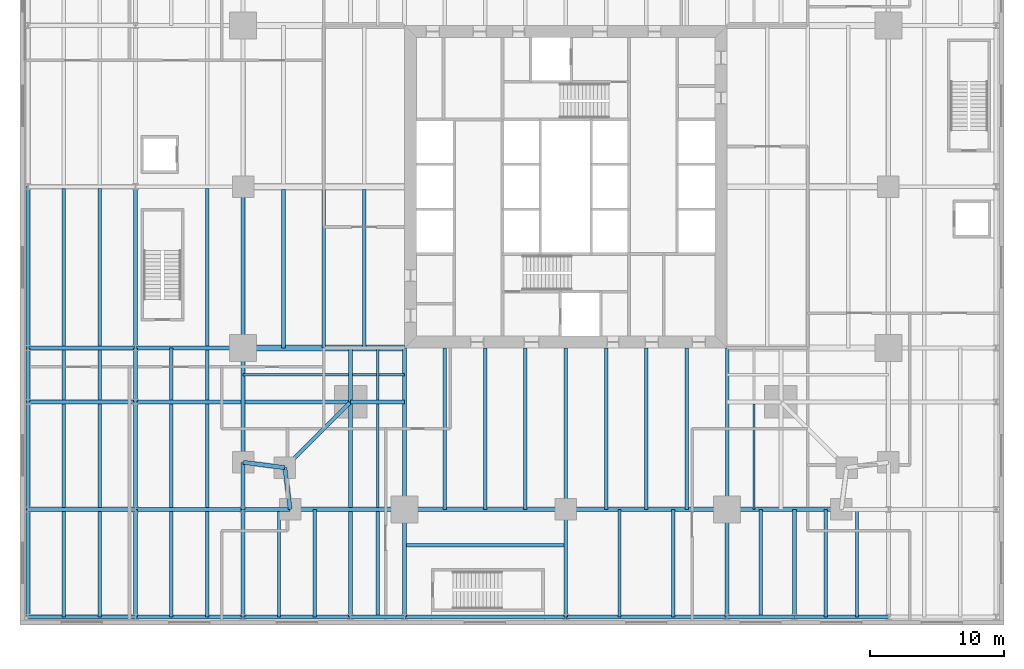
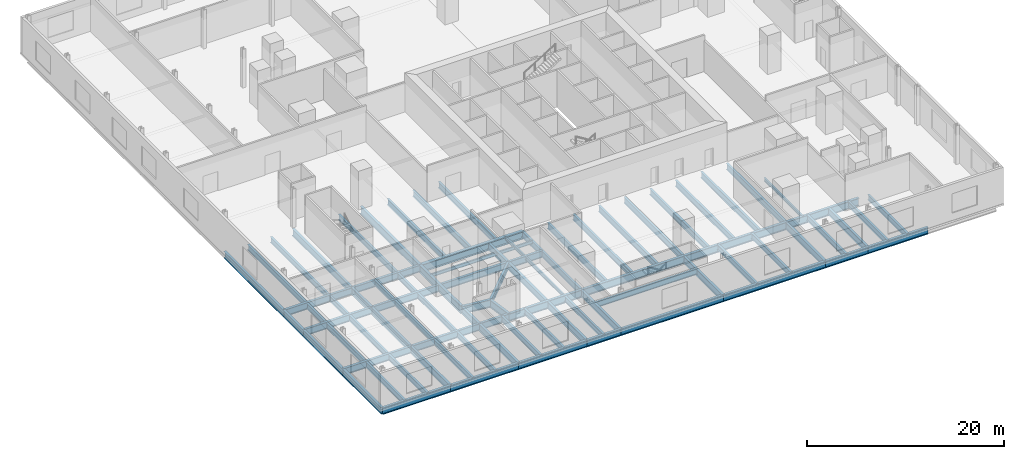
# One storey, part 5 of 16: 86 beams.
"""IFC4 building model written with IfcOpenShell, lengths in metres."""

from ifc_helpers import new_model, si_unit, direction, frame, origin, origin_2d, place, context, subcontext, project, spatial, i_section, extrude, material, material_profile, profile_set, type_object, element, save


model = new_model("IFC4")

# Units and contexts
model_context = context("Model", 3, precision=1e-05, world=origin(), true_north=direction((0.0, 1.0)))
body_context = subcontext(model_context, "Body", "Model", "MODEL_VIEW")
ifc_project = project(units=[si_unit("LENGTHUNIT", "METRE"), si_unit("AREAUNIT", "SQUARE_METRE"), si_unit("VOLUMEUNIT", "CUBIC_METRE"), si_unit("PLANEANGLEUNIT", "RADIAN"), si_unit("MASSUNIT", "GRAM", prefix="KILO")], contexts=[model_context])

# Site, building, storey
site_placement = place(None, origin())
site = spatial("IfcSite", under=ifc_project, at=site_placement, CompositionType="ELEMENT")
building_placement = place(site_placement, origin())
building = spatial("IfcBuilding", under=site, at=building_placement, Name="Fenwick Lantern Interchange", CompositionType="ELEMENT")
storey_placement = place(building_placement, frame((0.0, 0.0, 16.60009765625)))
storey = spatial("IfcBuildingStorey", under=building, at=storey_placement, Name="L03", CompositionType="ELEMENT", Elevation=16.60009765625)

# Beams
ifc_material = material(Name="Steel ASTM A992 Grade 50", Category="steel")
ifc_material_profile_1 = material_profile(ifc_material, i_section(OverallWidth=0.309814453125, OverallDepth=0.949951171875, WebThickness=0.0244140625, FlangeThickness=0.0439453125, at=origin_2d()), Name="W36X256")
ifc_profile_set_1 = profile_set([ifc_material_profile_1], Name="Steel ASTM A992 Grade 50")
beam_type_1 = type_object("IfcBeamType", Name="EDGE BEAM W36X256", PredefinedType="SPANDREL", material=ifc_profile_set_1)
beam_1_placement = place(storey_placement, frame((4.5, 1.0, -0.675048828125), z_axis=(1.0, 0.0, 0.0), x_axis=(0.0, 1.0, 0.0)))
element("IfcBeam", 1, at=beam_1_placement, inside=storey, type_object=beam_type_1, Name="L03/FR/S/EB1", PredefinedType="SPANDREL", context=body_context, shape_type="SweptSolid", body=[
    extrude(i_section(OverallWidth=0.309814453125, OverallDepth=0.949951171875, WebThickness=0.0244140625, FlangeThickness=0.0439453125, at=origin_2d()), origin(), (0.0, 0.0, 1.0), 8.5),
])
for number, where, z_axis, x_axis, name in (
    (2, (13.0, 1.0, -0.675048828125), (1.0, 0.0, 0.0), (0.0, 1.0, 0.0), "L03/FR/S/EB2"),
    (3, (25.0, 1.0, -0.675048828125), (1.0, 0.0, 0.0), (0.0, 1.0, 0.0), "L03/FR/S/EB3"),
):
    element("IfcBeam", number, at=place(storey_placement, frame(where, z_axis=z_axis, x_axis=x_axis)), inside=storey, type_object=beam_type_1, Name=name, PredefinedType="SPANDREL", context=body_context, shape_type="SweptSolid", body=[
        extrude(i_section(OverallWidth=0.309814453125, OverallDepth=0.949951171875, WebThickness=0.0244140625, FlangeThickness=0.0439453125, at=origin_2d()), origin(), (0.0, 0.0, 1.0), 12.0),
    ])
beam_2_placement = place(storey_placement, frame((37.0, 1.0, -0.675048828125), z_axis=(1.0, 0.0, 0.0), x_axis=(0.0, 1.0, 0.0)))
element("IfcBeam", 4, at=beam_2_placement, inside=storey, type_object=beam_type_1, Name="L03/FR/S/EB4", PredefinedType="SPANDREL", context=body_context, shape_type="SweptSolid", body=[
    extrude(i_section(OverallWidth=0.309814453125, OverallDepth=0.949951171875, WebThickness=0.0244140625, FlangeThickness=0.0439453125, at=origin_2d()), origin(), (0.0, 0.0, 1.0), 8.5),
])
beam_3_placement = place(storey_placement, frame((1.0, 25.0, -0.675048828125), z_axis=(0.0, -1.0, 0.0), x_axis=(1.0, 0.0, 0.0)))
element("IfcBeam", 5, at=beam_3_placement, inside=storey, type_object=beam_type_1, Name="L03/FR/W/EB3", PredefinedType="SPANDREL", context=body_context, shape_type="SweptSolid", body=[
    extrude(i_section(OverallWidth=0.309814453125, OverallDepth=0.949951171875, WebThickness=0.0244140625, FlangeThickness=0.0439453125, at=origin_2d()), origin(), (0.0, 0.0, 1.0), 12.0),
])
beam_4_placement = place(storey_placement, frame((1.0, 13.0, -0.675048828125), z_axis=(0.0, -1.0, 0.0), x_axis=(1.0, 0.0, 0.0)))
element("IfcBeam", 6, at=beam_4_placement, inside=storey, type_object=beam_type_1, Name="L03/FR/W/EB4", PredefinedType="SPANDREL", context=body_context, shape_type="SweptSolid", body=[
    extrude(i_section(OverallWidth=0.309814453125, OverallDepth=0.949951171875, WebThickness=0.0244140625, FlangeThickness=0.0439453125, at=origin_2d()), origin(), (0.0, 0.0, 1.0), 8.5),
])
for number, where, z_axis, x_axis, name in (
    (7, (1.0, 4.5, -0.675048828125), (0.991782342897, -0.127936641807, 0.0), (0.127936641807, 0.991782342897, 0.0), "L03/FR/W/EBR1"),
    (8, (4.10009765625, 4.10009765625, -0.675048828125), (0.127936641807, -0.991782342897, 0.0), (0.991782342897, 0.127936641807, 0.0), "L03/FR/W/EBR2"),
):
    element("IfcBeam", number, at=place(storey_placement, frame(where, z_axis=z_axis, x_axis=x_axis)), inside=storey, type_object=beam_type_1, Name=name, PredefinedType="SPANDREL", context=body_context, shape_type="SweptSolid", body=[
        extrude(i_section(OverallWidth=0.309814453125, OverallDepth=0.949951171875, WebThickness=0.0244140625, FlangeThickness=0.0439453125, at=origin_2d()), origin(), (0.0, 0.0, 1.0), 3.125732421875),
    ])
ifc_material_profile_2 = material_profile(ifc_material, i_section(OverallWidth=0.2666015625, OverallDepth=0.7568359375, WebThickness=0.013916015625, FlangeThickness=0.019287109375, at=origin_2d()), Name="W30X108")
ifc_profile_set_2 = profile_set([ifc_material_profile_2], Name="Steel ASTM A992 Grade 50")
beam_type_2 = type_object("IfcBeamType", Name="FLOOR BEAM W30X108", PredefinedType="BEAM", material=ifc_profile_set_2)
for number, where, z_axis, x_axis, name in (
    (9, (16.0, 1.0, -0.57861328125), (0.0, 1.0, 0.0), (-1.0, 0.0, 0.0), "L03/FR/S/R02"),
    (10, (19.0, 1.0, -0.57861328125), (0.0, 1.0, 0.0), (-1.0, 0.0, 0.0), "L03/FR/S/R03"),
    (11, (22.0, 1.0, -0.57861328125), (0.0, 1.0, 0.0), (-1.0, 0.0, 0.0), "L03/FR/S/R04"),
    (12, (28.0, 1.0, -0.57861328125), (0.0, 1.0, 0.0), (-1.0, 0.0, 0.0), "L03/FR/S/R06"),
    (13, (31.0, 1.0, -0.57861328125), (0.0, 1.0, 0.0), (-1.0, 0.0, 0.0), "L03/FR/S/R07"),
    (14, (34.0, 1.0, -0.57861328125), (0.0, 1.0, 0.0), (-1.0, 0.0, 0.0), "L03/FR/S/R08"),
):
    element("IfcBeam", number, at=place(storey_placement, frame(where, z_axis=z_axis, x_axis=x_axis)), inside=storey, type_object=beam_type_2, Name=name, PredefinedType="BEAM", context=body_context, shape_type="SweptSolid", body=[
        extrude(i_section(OverallWidth=0.2666015625, OverallDepth=0.7568359375, WebThickness=0.013916015625, FlangeThickness=0.019287109375, at=origin_2d()), origin(), (0.0, 0.0, 1.0), 12.0),
    ])
for number, where, z_axis, x_axis, name in (
    (15, (4.0, 24.79541015625, -0.57861328125), (0.0, -1.0, 0.0), (1.0, 0.0, 0.0), "L03/FR/W/B04"),
    (16, (7.0, 24.79541015625, -0.57861328125), (0.0, -1.0, 0.0), (1.0, 0.0, 0.0), "L03/FR/W/B05"),
    (17, (10.0, 24.79541015625, -0.57861328125), (0.0, -1.0, 0.0), (1.0, 0.0, 0.0), "L03/FR/W/B06"),
):
    element("IfcBeam", number, at=place(storey_placement, frame(where, z_axis=z_axis, x_axis=x_axis)), inside=storey, type_object=beam_type_2, Name=name, PredefinedType="BEAM", context=body_context, shape_type="SweptSolid", body=[
        extrude(i_section(OverallWidth=0.2666015625, OverallDepth=0.7568359375, WebThickness=0.013916015625, FlangeThickness=0.019287109375, at=origin_2d()), origin(), (0.0, 0.0, 1.0), 11.79541015625),
    ])
ifc_material_profile_3 = material_profile(ifc_material, i_section(OverallWidth=0.177734375, OverallDepth=0.406494140625, WebThickness=0.0078125, FlangeThickness=0.012939453125, at=origin_2d()), Name="W16X40")
ifc_profile_set_3 = profile_set([ifc_material_profile_3], Name="Steel ASTM A992 Grade 50")
beam_type_3 = type_object("IfcBeamType", Name="INFILL BEAM W16X40", PredefinedType="JOIST", material=ifc_profile_set_3)
beam_5_placement = place(storey_placement, frame((11.0, 1.155029296875, -0.4033203125), z_axis=(0.0, 1.0, 0.0), x_axis=(-1.0, 0.0, 0.0)))
element("IfcBeam", 18, at=beam_5_placement, inside=storey, type_object=beam_type_3, Name="L03/FR/S/J1", PredefinedType="JOIST", context=body_context, shape_type="SweptSolid", body=[
    extrude(i_section(OverallWidth=0.177734375, OverallDepth=0.406494140625, WebThickness=0.0078125, FlangeThickness=0.012939453125, at=origin_2d()), origin(), (0.0, 0.0, 1.0), 7.698974609375),
])
beam_6_placement = place(storey_placement, frame((11.0, 9.14599609375, -0.4033203125), z_axis=(0.0, 1.0, 0.0), x_axis=(-1.0, 0.0, 0.0)))
element("IfcBeam", 19, at=beam_6_placement, inside=storey, type_object=beam_type_3, Name="L03/FR/S/J2", PredefinedType="JOIST", context=body_context, shape_type="SweptSolid", body=[
    extrude(i_section(OverallWidth=0.177734375, OverallDepth=0.406494140625, WebThickness=0.0078125, FlangeThickness=0.012939453125, at=origin_2d()), origin(), (0.0, 0.0, 1.0), 3.85400390625),
])
beam_7_placement = place(storey_placement, frame((1.0, 11.0, -0.4033203125), z_axis=(1.0, 0.0, 0.0), x_axis=(0.0, 1.0, 0.0)))
element("IfcBeam", 20, at=beam_7_placement, inside=storey, type_object=beam_type_3, Name="L03/FR/S/J3", PredefinedType="JOIST", context=body_context, shape_type="SweptSolid", body=[
    extrude(i_section(OverallWidth=0.177734375, OverallDepth=0.406494140625, WebThickness=0.0078125, FlangeThickness=0.012939453125, at=origin_2d()), origin(), (0.0, 0.0, 1.0), 7.85400390625),
])
beam_8_placement = place(storey_placement, frame((9.14599609375, 11.0, -0.4033203125), z_axis=(1.0, 0.0, 0.0), x_axis=(0.0, 1.0, 0.0)))
element("IfcBeam", 21, at=beam_8_placement, inside=storey, type_object=beam_type_3, Name="L03/FR/S/J4", PredefinedType="JOIST", context=body_context, shape_type="SweptSolid", body=[
    extrude(i_section(OverallWidth=0.177734375, OverallDepth=0.406494140625, WebThickness=0.0078125, FlangeThickness=0.012939453125, at=origin_2d()), origin(), (0.0, 0.0, 1.0), 1.76513671875),
])
beam_9_placement = place(storey_placement, frame((11.0888671875, 11.0, -0.4033203125), z_axis=(1.0, 0.0, 0.0), x_axis=(0.0, 1.0, 0.0)))
element("IfcBeam", 22, at=beam_9_placement, inside=storey, type_object=beam_type_3, Name="L03/FR/S/J5", PredefinedType="JOIST", context=body_context, shape_type="SweptSolid", body=[
    extrude(i_section(OverallWidth=0.177734375, OverallDepth=0.406494140625, WebThickness=0.0078125, FlangeThickness=0.012939453125, at=origin_2d()), origin(), (0.0, 0.0, 1.0), 1.9111328125),
])
beam_10_placement = place(storey_placement, frame((39.0, 1.0, -0.4033203125), z_axis=(0.0, 1.0, 0.0), x_axis=(-1.0, 0.0, 0.0)))
element("IfcBeam", 23, at=beam_10_placement, inside=storey, type_object=beam_type_3, Name="L03/FR/E/J3", PredefinedType="JOIST", context=body_context, shape_type="SweptSolid", body=[
    extrude(i_section(OverallWidth=0.177734375, OverallDepth=0.406494140625, WebThickness=0.0078125, FlangeThickness=0.012939453125, at=origin_2d()), origin(), (0.0, 0.0, 1.0), 7.85400390625),
])
ifc_material_profile_4 = material_profile(ifc_material, i_section(OverallWidth=0.2919921875, OverallDepth=0.845703125, WebThickness=0.015380859375, FlangeThickness=0.0244140625, at=origin_2d()), Name="W33X141")
ifc_profile_set_4 = profile_set([ifc_material_profile_4], Name="Steel ASTM A992 Grade 50")
beam_type_4 = type_object("IfcBeamType", Name="MEGA COLUMN BEAM W33X141", PredefinedType="BEAM", material=ifc_profile_set_4)
for number, where, z_axis, x_axis, name in (
    (24, (9.0, 9.0, -0.623046875), (0.0, -1.0, 0.0), (1.0, 0.0, 0.0), "L03/FR/S/MB1"),
    (25, (9.0, 9.0, -0.623046875), (-1.0, 0.0, 0.0), (0.0, -1.0, 0.0), "L03/FR/S/MB2"),
):
    element("IfcBeam", number, at=place(storey_placement, frame(where, z_axis=z_axis, x_axis=x_axis)), inside=storey, type_object=beam_type_4, Name=name, PredefinedType="BEAM", context=body_context, shape_type="SweptSolid", body=[
        extrude(i_section(OverallWidth=0.2919921875, OverallDepth=0.845703125, WebThickness=0.015380859375, FlangeThickness=0.0244140625, at=origin_2d()), origin(), (0.0, 0.0, 1.0), 7.844970703125),
    ])
for number, where, z_axis, x_axis, name in (
    (26, (9.0, 9.0, -0.623046875), (1.0, 0.0, 0.0), (0.0, 1.0, 0.0), "L03/FR/S/MB3"),
    (27, (9.0, 9.0, -0.623046875), (0.0, 1.0, 0.0), (-1.0, 0.0, 0.0), "L03/FR/S/MB4"),
):
    element("IfcBeam", number, at=place(storey_placement, frame(where, z_axis=z_axis, x_axis=x_axis)), inside=storey, type_object=beam_type_4, Name=name, PredefinedType="BEAM", context=body_context, shape_type="SweptSolid", body=[
        extrude(i_section(OverallWidth=0.2919921875, OverallDepth=0.845703125, WebThickness=0.015380859375, FlangeThickness=0.0244140625, at=origin_2d()), origin(), (0.0, 0.0, 1.0), 4.0),
    ])
ifc_material_profile_5 = material_profile(ifc_material, i_section(OverallWidth=0.2666015625, OverallDepth=0.76953125, WebThickness=0.015625, FlangeThickness=0.025390625, at=origin_2d()), Name="W30X132")
ifc_profile_set_5 = profile_set([ifc_material_profile_5], Name="Steel ASTM A992 Grade 50")
beam_type_5 = type_object("IfcBeamType", Name="MOMENT-CONNECTED GIRDER W30X132", PredefinedType="BEAM", material=ifc_profile_set_5)
for number, where, z_axis, x_axis, name in (
    (28, (13.0, 1.0, -0.5849609375), (0.0, 1.0, 0.0), (-1.0, 0.0, 0.0), "L03/FR/S/R01"),
    (29, (25.0, 1.0, -0.5849609375), (0.0, 1.0, 0.0), (-1.0, 0.0, 0.0), "L03/FR/S/R05"),
    (30, (37.0, 1.0, -0.5849609375), (0.0, 1.0, 0.0), (-1.0, 0.0, 0.0), "L03/FR/S/R09"),
):
    element("IfcBeam", number, at=place(storey_placement, frame(where, z_axis=z_axis, x_axis=x_axis)), inside=storey, type_object=beam_type_5, Name=name, PredefinedType="BEAM", context=body_context, shape_type="SweptSolid", body=[
        extrude(i_section(OverallWidth=0.2666015625, OverallDepth=0.76953125, WebThickness=0.015625, FlangeThickness=0.025390625, at=origin_2d()), origin(), (0.0, 0.0, 1.0), 12.0),
    ])
ifc_material_profile_6 = material_profile(ifc_material, i_section(OverallWidth=0.424072265625, OverallDepth=0.947509765625, WebThickness=0.02392578125, FlangeThickness=0.042724609375, at=origin_2d()), Name="W36X302")
ifc_profile_set_6 = profile_set([ifc_material_profile_6], Name="Steel ASTM A992 Grade 50")
beam_type_6 = type_object("IfcBeamType", Name="MOMENT-CONNECTED GIRDER W36X302", PredefinedType="BEAM", material=ifc_profile_set_6)
beam_11_placement = place(storey_placement, frame((1.0, 13.0, -0.673828125), z_axis=(1.0, 0.0, 0.0), x_axis=(0.0, 1.0, 0.0)))
element("IfcBeam", 31, at=beam_11_placement, inside=storey, type_object=beam_type_6, Name="L03/FR/W/R03", PredefinedType="BEAM", context=body_context, shape_type="SweptSolid", body=[
    extrude(i_section(OverallWidth=0.424072265625, OverallDepth=0.947509765625, WebThickness=0.02392578125, FlangeThickness=0.042724609375, at=origin_2d()), origin(), (0.0, 0.0, 1.0), 12.0),
])
ifc_material_profile_7 = material_profile(ifc_material, i_section(OverallWidth=0.2919921875, OverallDepth=0.845703125, WebThickness=0.015380859375, FlangeThickness=0.0244140625, at=origin_2d()), Name="W33X141")
ifc_profile_set_7 = profile_set([ifc_material_profile_7], Name="Steel ASTM A992 Grade 50")
beam_type_7 = type_object("IfcBeamType", Name="MOMENT-CONNECTED PODIUM GIRDER W33X141", PredefinedType="BEAM", material=ifc_profile_set_7)
for number, where, z_axis, x_axis, name in (
    (32, (-15.0, -7.0, -0.623046875), (1.0, 0.0, 0.0), (0.0, 1.0, 0.0), "L03/PF/G001"),
    (33, (-7.0, -7.0, -0.623046875), (1.0, 0.0, 0.0), (0.0, 1.0, 0.0), "L03/PF/G002"),
    (34, (1.0, -7.0, -0.623046875), (1.0, 0.0, 0.0), (0.0, 1.0, 0.0), "L03/PF/G003"),
):
    element("IfcBeam", number, at=place(storey_placement, frame(where, z_axis=z_axis, x_axis=x_axis)), inside=storey, type_object=beam_type_7, Name=name, PredefinedType="BEAM", context=body_context, shape_type="SweptSolid", body=[
        extrude(i_section(OverallWidth=0.2919921875, OverallDepth=0.845703125, WebThickness=0.015380859375, FlangeThickness=0.0244140625, at=origin_2d()), origin(), (0.0, 0.0, 1.0), 8.0),
    ])
beam_12_placement = place(storey_placement, frame((9.0, -7.0, -0.623046875), z_axis=(1.0, 0.0, 0.0), x_axis=(0.0, 1.0, 0.0)))
element("IfcBeam", 35, at=beam_12_placement, inside=storey, type_object=beam_type_7, Name="L03/PF/G004", PredefinedType="BEAM", context=body_context, shape_type="SweptSolid", body=[
    extrude(i_section(OverallWidth=0.2919921875, OverallDepth=0.845703125, WebThickness=0.015380859375, FlangeThickness=0.0244140625, at=origin_2d()), origin(), (0.0, 0.0, 1.0), 4.0),
])
for number, where, z_axis, x_axis, name in (
    (36, (13.0, -7.0, -0.623046875), (1.0, 0.0, 0.0), (0.0, 1.0, 0.0), "L03/PF/G005"),
    (37, (25.0, -7.0, -0.623046875), (1.0, 0.0, 0.0), (0.0, 1.0, 0.0), "L03/PF/G006"),
):
    element("IfcBeam", number, at=place(storey_placement, frame(where, z_axis=z_axis, x_axis=x_axis)), inside=storey, type_object=beam_type_7, Name=name, PredefinedType="BEAM", context=body_context, shape_type="SweptSolid", body=[
        extrude(i_section(OverallWidth=0.2919921875, OverallDepth=0.845703125, WebThickness=0.015380859375, FlangeThickness=0.0244140625, at=origin_2d()), origin(), (0.0, 0.0, 1.0), 12.0),
    ])
beam_13_placement = place(storey_placement, frame((37.0, -7.0, -0.623046875), z_axis=(1.0, 0.0, 0.0), x_axis=(0.0, 1.0, 0.0)))
element("IfcBeam", 38, at=beam_13_placement, inside=storey, type_object=beam_type_7, Name="L03/PF/G007", PredefinedType="BEAM", context=body_context, shape_type="SweptSolid", body=[
    extrude(i_section(OverallWidth=0.2919921875, OverallDepth=0.845703125, WebThickness=0.015380859375, FlangeThickness=0.0244140625, at=origin_2d()), origin(), (0.0, 0.0, 1.0), 5.0),
])
beam_14_placement = place(storey_placement, frame((42.0, -7.0, -0.623046875), z_axis=(1.0, 0.0, 0.0), x_axis=(0.0, 1.0, 0.0)))
element("IfcBeam", 39, at=beam_14_placement, inside=storey, type_object=beam_type_7, Name="L03/PF/G008", PredefinedType="BEAM", context=body_context, shape_type="SweptSolid", body=[
    extrude(i_section(OverallWidth=0.2919921875, OverallDepth=0.845703125, WebThickness=0.015380859375, FlangeThickness=0.0244140625, at=origin_2d()), origin(), (0.0, 0.0, 1.0), 7.0),
])
for number, where, z_axis, x_axis, name in (
    (40, (-15.0, 1.0, -0.623046875), (1.0, 0.0, 0.0), (0.0, 1.0, 0.0), "L03/PF/G010"),
    (41, (-7.0, 1.0, -0.623046875), (1.0, 0.0, 0.0), (0.0, 1.0, 0.0), "L03/PF/G011"),
):
    element("IfcBeam", number, at=place(storey_placement, frame(where, z_axis=z_axis, x_axis=x_axis)), inside=storey, type_object=beam_type_7, Name=name, PredefinedType="BEAM", context=body_context, shape_type="SweptSolid", body=[
        extrude(i_section(OverallWidth=0.2919921875, OverallDepth=0.845703125, WebThickness=0.015380859375, FlangeThickness=0.0244140625, at=origin_2d()), origin(), (0.0, 0.0, 1.0), 8.0),
    ])
beam_15_placement = place(storey_placement, frame((1.0, 1.0, -0.623046875), z_axis=(1.0, 0.0, 0.0), x_axis=(0.0, 1.0, 0.0)))
element("IfcBeam", 42, at=beam_15_placement, inside=storey, type_object=beam_type_7, Name="L03/PF/G012", PredefinedType="BEAM", context=body_context, shape_type="SweptSolid", body=[
    extrude(i_section(OverallWidth=0.2919921875, OverallDepth=0.845703125, WebThickness=0.015380859375, FlangeThickness=0.0244140625, at=origin_2d()), origin(), (0.0, 0.0, 1.0), 3.5),
])
beam_16_placement = place(storey_placement, frame((-15.0, 9.0, -0.623046875), z_axis=(1.0, 0.0, 0.0), x_axis=(0.0, 1.0, 0.0)))
element("IfcBeam", 43, at=beam_16_placement, inside=storey, type_object=beam_type_7, Name="L03/PF/G015", PredefinedType="BEAM", context=body_context, shape_type="SweptSolid", body=[
    extrude(i_section(OverallWidth=0.2919921875, OverallDepth=0.845703125, WebThickness=0.015380859375, FlangeThickness=0.0244140625, at=origin_2d()), origin(), (0.0, 0.0, 1.0), 8.0),
])
beam_17_placement = place(storey_placement, frame((-7.0, 9.0, -0.623046875), z_axis=(1.0, 0.0, 0.0), x_axis=(0.0, 1.0, 0.0)))
element("IfcBeam", 44, at=beam_17_placement, inside=storey, type_object=beam_type_7, Name="L03/PF/G016", PredefinedType="BEAM", context=body_context, shape_type="SweptSolid", body=[
    extrude(i_section(OverallWidth=0.2919921875, OverallDepth=0.845703125, WebThickness=0.015380859375, FlangeThickness=0.0244140625, at=origin_2d()), origin(), (0.0, 0.0, 1.0), 7.844970703125),
])
for number, where, z_axis, x_axis, name in (
    (45, (-15.0, 13.0, -0.623046875), (1.0, 0.0, 0.0), (0.0, 1.0, 0.0), "L03/PF/G018"),
    (46, (-7.0, 13.0, -0.623046875), (1.0, 0.0, 0.0), (0.0, 1.0, 0.0), "L03/PF/G019"),
    (47, (-15.0, -7.0, -0.623046875), (0.0, 1.0, 0.0), (-1.0, 0.0, 0.0), "L03/PF/G053"),
    (48, (-15.0, 1.0, -0.623046875), (0.0, 1.0, 0.0), (-1.0, 0.0, 0.0), "L03/PF/G054"),
):
    element("IfcBeam", number, at=place(storey_placement, frame(where, z_axis=z_axis, x_axis=x_axis)), inside=storey, type_object=beam_type_7, Name=name, PredefinedType="BEAM", context=body_context, shape_type="SweptSolid", body=[
        extrude(i_section(OverallWidth=0.2919921875, OverallDepth=0.845703125, WebThickness=0.015380859375, FlangeThickness=0.0244140625, at=origin_2d()), origin(), (0.0, 0.0, 1.0), 8.0),
    ])
beam_18_placement = place(storey_placement, frame((-15.0, 9.0, -0.623046875), z_axis=(0.0, 1.0, 0.0), x_axis=(-1.0, 0.0, 0.0)))
element("IfcBeam", 49, at=beam_18_placement, inside=storey, type_object=beam_type_7, Name="L03/PF/G055", PredefinedType="BEAM", context=body_context, shape_type="SweptSolid", body=[
    extrude(i_section(OverallWidth=0.2919921875, OverallDepth=0.845703125, WebThickness=0.015380859375, FlangeThickness=0.0244140625, at=origin_2d()), origin(), (0.0, 0.0, 1.0), 4.0),
])
beam_19_placement = place(storey_placement, frame((-15.0, 13.0, -0.623046875), z_axis=(0.0, 1.0, 0.0), x_axis=(-1.0, 0.0, 0.0)))
element("IfcBeam", 50, at=beam_19_placement, inside=storey, type_object=beam_type_7, Name="L03/PF/G056", PredefinedType="BEAM", context=body_context, shape_type="SweptSolid", body=[
    extrude(i_section(OverallWidth=0.2919921875, OverallDepth=0.845703125, WebThickness=0.015380859375, FlangeThickness=0.0244140625, at=origin_2d()), origin(), (0.0, 0.0, 1.0), 12.0),
])
for number, where, z_axis, x_axis, name in (
    (51, (-7.0, -7.0, -0.623046875), (0.0, 1.0, 0.0), (-1.0, 0.0, 0.0), "L03/PF/G062"),
    (52, (-7.0, 1.0, -0.623046875), (0.0, 1.0, 0.0), (-1.0, 0.0, 0.0), "L03/PF/G063"),
):
    element("IfcBeam", number, at=place(storey_placement, frame(where, z_axis=z_axis, x_axis=x_axis)), inside=storey, type_object=beam_type_7, Name=name, PredefinedType="BEAM", context=body_context, shape_type="SweptSolid", body=[
        extrude(i_section(OverallWidth=0.2919921875, OverallDepth=0.845703125, WebThickness=0.015380859375, FlangeThickness=0.0244140625, at=origin_2d()), origin(), (0.0, 0.0, 1.0), 8.0),
    ])
beam_20_placement = place(storey_placement, frame((-7.0, 9.0, -0.623046875), z_axis=(0.0, 1.0, 0.0), x_axis=(-1.0, 0.0, 0.0)))
element("IfcBeam", 53, at=beam_20_placement, inside=storey, type_object=beam_type_7, Name="L03/PF/G064", PredefinedType="BEAM", context=body_context, shape_type="SweptSolid", body=[
    extrude(i_section(OverallWidth=0.2919921875, OverallDepth=0.845703125, WebThickness=0.015380859375, FlangeThickness=0.0244140625, at=origin_2d()), origin(), (0.0, 0.0, 1.0), 4.0),
])
beam_21_placement = place(storey_placement, frame((-7.0, 13.0, -0.623046875), z_axis=(0.0, 1.0, 0.0), x_axis=(-1.0, 0.0, 0.0)))
element("IfcBeam", 54, at=beam_21_placement, inside=storey, type_object=beam_type_7, Name="L03/PF/G065", PredefinedType="BEAM", context=body_context, shape_type="SweptSolid", body=[
    extrude(i_section(OverallWidth=0.2919921875, OverallDepth=0.845703125, WebThickness=0.015380859375, FlangeThickness=0.0244140625, at=origin_2d()), origin(), (0.0, 0.0, 1.0), 12.0),
])
beam_22_placement = place(storey_placement, frame((1.0, -7.0, -0.623046875), z_axis=(0.0, 1.0, 0.0), x_axis=(-1.0, 0.0, 0.0)))
element("IfcBeam", 55, at=beam_22_placement, inside=storey, type_object=beam_type_7, Name="L03/PF/G071", PredefinedType="BEAM", context=body_context, shape_type="SweptSolid", body=[
    extrude(i_section(OverallWidth=0.2919921875, OverallDepth=0.845703125, WebThickness=0.015380859375, FlangeThickness=0.0244140625, at=origin_2d()), origin(), (0.0, 0.0, 1.0), 8.0),
])
beam_23_placement = place(storey_placement, frame((1.0, 1.0, -0.623046875), z_axis=(0.0, 1.0, 0.0), x_axis=(-1.0, 0.0, 0.0)))
element("IfcBeam", 56, at=beam_23_placement, inside=storey, type_object=beam_type_7, Name="L03/PF/G072", PredefinedType="BEAM", context=body_context, shape_type="SweptSolid", body=[
    extrude(i_section(OverallWidth=0.2919921875, OverallDepth=0.845703125, WebThickness=0.015380859375, FlangeThickness=0.0244140625, at=origin_2d()), origin(), (0.0, 0.0, 1.0), 3.5),
])
beam_24_placement = place(storey_placement, frame((9.0, -7.0, -0.623046875), z_axis=(0.0, 1.0, 0.0), x_axis=(-1.0, 0.0, 0.0)))
element("IfcBeam", 57, at=beam_24_placement, inside=storey, type_object=beam_type_7, Name="L03/PF/G076", PredefinedType="BEAM", context=body_context, shape_type="SweptSolid", body=[
    extrude(i_section(OverallWidth=0.2919921875, OverallDepth=0.845703125, WebThickness=0.015380859375, FlangeThickness=0.0244140625, at=origin_2d()), origin(), (0.0, 0.0, 1.0), 7.844970703125),
])
for number, where, z_axis, x_axis, name in (
    (58, (13.0, -7.0, -0.623046875), (0.0, 1.0, 0.0), (-1.0, 0.0, 0.0), "L03/PF/G079"),
    (59, (25.0, -7.0, -0.623046875), (0.0, 1.0, 0.0), (-1.0, 0.0, 0.0), "L03/PF/G082"),
    (60, (37.0, -7.0, -0.623046875), (0.0, 1.0, 0.0), (-1.0, 0.0, 0.0), "L03/PF/G085"),
    (61, (42.0, -7.0, -0.623046875), (0.0, 1.0, 0.0), (-1.0, 0.0, 0.0), "L03/PF/G088"),
):
    element("IfcBeam", number, at=place(storey_placement, frame(where, z_axis=z_axis, x_axis=x_axis)), inside=storey, type_object=beam_type_7, Name=name, PredefinedType="BEAM", context=body_context, shape_type="SweptSolid", body=[
        extrude(i_section(OverallWidth=0.2919921875, OverallDepth=0.845703125, WebThickness=0.015380859375, FlangeThickness=0.0244140625, at=origin_2d()), origin(), (0.0, 0.0, 1.0), 8.0),
    ])
ifc_material_profile_8 = material_profile(ifc_material, i_section(OverallWidth=0.2666015625, OverallDepth=0.7568359375, WebThickness=0.013916015625, FlangeThickness=0.019287109375, at=origin_2d()), Name="W30X108")
ifc_profile_set_8 = profile_set([ifc_material_profile_8], Name="Steel ASTM A992 Grade 50")
beam_type_8 = type_object("IfcBeamType", Name="NOTCH BEAM W30X108", PredefinedType="BEAM", material=ifc_profile_set_8)
beam_25_placement = place(storey_placement, frame((9.0, 9.0, -0.57861328125), z_axis=(-0.707106781187, -0.707106781187, 0.0), x_axis=(0.707106781187, -0.707106781187, 0.0)))
element("IfcBeam", 62, at=beam_25_placement, inside=storey, type_object=beam_type_8, Name="L03/FR/S/TG", PredefinedType="BEAM", context=body_context, shape_type="SweptSolid", body=[
    extrude(i_section(OverallWidth=0.2666015625, OverallDepth=0.7568359375, WebThickness=0.013916015625, FlangeThickness=0.019287109375, at=origin_2d()), origin(), (0.0, 0.0, 1.0), 6.929443359375),
])
ifc_material_profile_9 = material_profile(ifc_material, i_section(OverallWidth=0.25390625, OverallDepth=0.683349609375, WebThickness=0.012451171875, FlangeThickness=0.01904296875, at=origin_2d()), Name="W27X94")
ifc_profile_set_9 = profile_set([ifc_material_profile_9], Name="Steel ASTM A992 Grade 50")
beam_type_9 = type_object("IfcBeamType", Name="PODIUM BEAM W27X94", PredefinedType="JOIST", material=ifc_profile_set_9)
for number, where, z_axis, x_axis, name in (
    (63, (-12.333251953125, -7.0, -0.541748046875), (0.0, 1.0, 0.0), (-1.0, 0.0, 0.0), "L03/PF/J105"),
    (64, (-9.666748046875, -7.0, -0.541748046875), (0.0, 1.0, 0.0), (-1.0, 0.0, 0.0), "L03/PF/J106"),
):
    element("IfcBeam", number, at=place(storey_placement, frame(where, z_axis=z_axis, x_axis=x_axis)), inside=storey, type_object=beam_type_9, Name=name, PredefinedType="JOIST", context=body_context, shape_type="SweptSolid", body=[
        extrude(i_section(OverallWidth=0.25390625, OverallDepth=0.683349609375, WebThickness=0.012451171875, FlangeThickness=0.01904296875, at=origin_2d()), origin(), (0.0, 0.0, 1.0), 7.85400390625),
    ])
for number, where, z_axis, x_axis, name in (
    (65, (-12.333251953125, 1.14599609375, -0.541748046875), (0.0, 1.0, 0.0), (-1.0, 0.0, 0.0), "L03/PF/J107"),
    (66, (-9.666748046875, 1.14599609375, -0.541748046875), (0.0, 1.0, 0.0), (-1.0, 0.0, 0.0), "L03/PF/J108"),
):
    element("IfcBeam", number, at=place(storey_placement, frame(where, z_axis=z_axis, x_axis=x_axis)), inside=storey, type_object=beam_type_9, Name=name, PredefinedType="JOIST", context=body_context, shape_type="SweptSolid", body=[
        extrude(i_section(OverallWidth=0.25390625, OverallDepth=0.683349609375, WebThickness=0.012451171875, FlangeThickness=0.01904296875, at=origin_2d()), origin(), (0.0, 0.0, 1.0), 7.7080078125),
    ])
for number, where, z_axis, x_axis, name in (
    (67, (-12.333251953125, 9.14599609375, -0.541748046875), (0.0, 1.0, 0.0), (-1.0, 0.0, 0.0), "L03/PF/J109"),
    (68, (-9.666748046875, 9.14599609375, -0.541748046875), (0.0, 1.0, 0.0), (-1.0, 0.0, 0.0), "L03/PF/J110"),
):
    element("IfcBeam", number, at=place(storey_placement, frame(where, z_axis=z_axis, x_axis=x_axis)), inside=storey, type_object=beam_type_9, Name=name, PredefinedType="JOIST", context=body_context, shape_type="SweptSolid", body=[
        extrude(i_section(OverallWidth=0.25390625, OverallDepth=0.683349609375, WebThickness=0.012451171875, FlangeThickness=0.01904296875, at=origin_2d()), origin(), (0.0, 0.0, 1.0), 3.7080078125),
    ])
for number, where, z_axis, x_axis, name in (
    (69, (-12.333251953125, 13.14599609375, -0.541748046875), (0.0, 1.0, 0.0), (-1.0, 0.0, 0.0), "L03/PF/J111"),
    (70, (-9.666748046875, 13.14599609375, -0.541748046875), (0.0, 1.0, 0.0), (-1.0, 0.0, 0.0), "L03/PF/J112"),
):
    element("IfcBeam", number, at=place(storey_placement, frame(where, z_axis=z_axis, x_axis=x_axis)), inside=storey, type_object=beam_type_9, Name=name, PredefinedType="JOIST", context=body_context, shape_type="SweptSolid", body=[
        extrude(i_section(OverallWidth=0.25390625, OverallDepth=0.683349609375, WebThickness=0.012451171875, FlangeThickness=0.01904296875, at=origin_2d()), origin(), (0.0, 0.0, 1.0), 11.7080078125),
    ])
for number, where, z_axis, x_axis, name in (
    (71, (-4.333251953125, -7.0, -0.541748046875), (0.0, 1.0, 0.0), (-1.0, 0.0, 0.0), "L03/PF/J123"),
    (72, (-1.666748046875, -7.0, -0.541748046875), (0.0, 1.0, 0.0), (-1.0, 0.0, 0.0), "L03/PF/J124"),
):
    element("IfcBeam", number, at=place(storey_placement, frame(where, z_axis=z_axis, x_axis=x_axis)), inside=storey, type_object=beam_type_9, Name=name, PredefinedType="JOIST", context=body_context, shape_type="SweptSolid", body=[
        extrude(i_section(OverallWidth=0.25390625, OverallDepth=0.683349609375, WebThickness=0.012451171875, FlangeThickness=0.01904296875, at=origin_2d()), origin(), (0.0, 0.0, 1.0), 7.85400390625),
    ])
for number, where, z_axis, x_axis, name in (
    (73, (-4.333251953125, 1.14599609375, -0.541748046875), (0.0, 1.0, 0.0), (-1.0, 0.0, 0.0), "L03/PF/J125"),
    (74, (-1.666748046875, 1.14599609375, -0.541748046875), (0.0, 1.0, 0.0), (-1.0, 0.0, 0.0), "L03/PF/J126"),
):
    element("IfcBeam", number, at=place(storey_placement, frame(where, z_axis=z_axis, x_axis=x_axis)), inside=storey, type_object=beam_type_9, Name=name, PredefinedType="JOIST", context=body_context, shape_type="SweptSolid", body=[
        extrude(i_section(OverallWidth=0.25390625, OverallDepth=0.683349609375, WebThickness=0.012451171875, FlangeThickness=0.01904296875, at=origin_2d()), origin(), (0.0, 0.0, 1.0), 7.7080078125),
    ])
beam_26_placement = place(storey_placement, frame((-4.333251953125, 9.14599609375, -0.541748046875), z_axis=(0.0, 1.0, 0.0), x_axis=(-1.0, 0.0, 0.0)))
element("IfcBeam", 75, at=beam_26_placement, inside=storey, type_object=beam_type_9, Name="L03/PF/J127", PredefinedType="JOIST", context=body_context, shape_type="SweptSolid", body=[
    extrude(i_section(OverallWidth=0.25390625, OverallDepth=0.683349609375, WebThickness=0.012451171875, FlangeThickness=0.01904296875, at=origin_2d()), origin(), (0.0, 0.0, 1.0), 3.85400390625),
])
beam_27_placement = place(storey_placement, frame((-1.666748046875, 9.14599609375, -0.541748046875), z_axis=(0.0, 1.0, 0.0), x_axis=(-1.0, 0.0, 0.0)))
element("IfcBeam", 76, at=beam_27_placement, inside=storey, type_object=beam_type_9, Name="L03/PF/J128", PredefinedType="JOIST", context=body_context, shape_type="SweptSolid", body=[
    extrude(i_section(OverallWidth=0.25390625, OverallDepth=0.683349609375, WebThickness=0.012451171875, FlangeThickness=0.01904296875, at=origin_2d()), origin(), (0.0, 0.0, 1.0), 3.7080078125),
])
beam_28_placement = place(storey_placement, frame((-1.666748046875, 13.14599609375, -0.541748046875), z_axis=(0.0, 1.0, 0.0), x_axis=(-1.0, 0.0, 0.0)))
element("IfcBeam", 77, at=beam_28_placement, inside=storey, type_object=beam_type_9, Name="L03/PF/J129", PredefinedType="JOIST", context=body_context, shape_type="SweptSolid", body=[
    extrude(i_section(OverallWidth=0.25390625, OverallDepth=0.683349609375, WebThickness=0.012451171875, FlangeThickness=0.01904296875, at=origin_2d()), origin(), (0.0, 0.0, 1.0), 11.7080078125),
])
for number, where, z_axis, x_axis, name in (
    (78, (3.666748046875, -7.0, -0.541748046875), (0.0, 1.0, 0.0), (-1.0, 0.0, 0.0), "L03/PF/J139"),
    (79, (6.333251953125, -7.0, -0.541748046875), (0.0, 1.0, 0.0), (-1.0, 0.0, 0.0), "L03/PF/J140"),
):
    element("IfcBeam", number, at=place(storey_placement, frame(where, z_axis=z_axis, x_axis=x_axis)), inside=storey, type_object=beam_type_9, Name=name, PredefinedType="JOIST", context=body_context, shape_type="SweptSolid", body=[
        extrude(i_section(OverallWidth=0.25390625, OverallDepth=0.683349609375, WebThickness=0.012451171875, FlangeThickness=0.01904296875, at=origin_2d()), origin(), (0.0, 0.0, 1.0), 8.0),
    ])
beam_29_placement = place(storey_placement, frame((11.0, -7.0, -0.541748046875), z_axis=(0.0, 1.0, 0.0), x_axis=(-1.0, 0.0, 0.0)))
element("IfcBeam", 80, at=beam_29_placement, inside=storey, type_object=beam_type_9, Name="L03/PF/J145", PredefinedType="JOIST", context=body_context, shape_type="SweptSolid", body=[
    extrude(i_section(OverallWidth=0.25390625, OverallDepth=0.683349609375, WebThickness=0.012451171875, FlangeThickness=0.01904296875, at=origin_2d()), origin(), (0.0, 0.0, 1.0), 7.844970703125),
])
beam_30_placement = place(storey_placement, frame((13.0, -1.666748046875, -0.541748046875), z_axis=(1.0, 0.0, 0.0), x_axis=(0.0, 1.0, 0.0)))
element("IfcBeam", 81, at=beam_30_placement, inside=storey, type_object=beam_type_9, Name="L03/PF/J148", PredefinedType="JOIST", context=body_context, shape_type="SweptSolid", body=[
    extrude(i_section(OverallWidth=0.25390625, OverallDepth=0.683349609375, WebThickness=0.012451171875, FlangeThickness=0.01904296875, at=origin_2d()), origin(), (0.0, 0.0, 1.0), 12.0),
])
for number, where, z_axis, x_axis, name in (
    (82, (29.0, -7.0, -0.541748046875), (0.0, 1.0, 0.0), (-1.0, 0.0, 0.0), "L03/PF/J152"),
    (83, (33.0, -7.0, -0.541748046875), (0.0, 1.0, 0.0), (-1.0, 0.0, 0.0), "L03/PF/J153"),
    (84, (39.5, -7.0, -0.541748046875), (0.0, 1.0, 0.0), (-1.0, 0.0, 0.0), "L03/PF/J158"),
    (85, (44.333251953125, -7.0, -0.541748046875), (0.0, 1.0, 0.0), (-1.0, 0.0, 0.0), "L03/PF/J161"),
    (86, (46.666748046875, -7.0, -0.541748046875), (0.0, 1.0, 0.0), (-1.0, 0.0, 0.0), "L03/PF/J162"),
):
    element("IfcBeam", number, at=place(storey_placement, frame(where, z_axis=z_axis, x_axis=x_axis)), inside=storey, type_object=beam_type_9, Name=name, PredefinedType="JOIST", context=body_context, shape_type="SweptSolid", body=[
        extrude(i_section(OverallWidth=0.25390625, OverallDepth=0.683349609375, WebThickness=0.012451171875, FlangeThickness=0.01904296875, at=origin_2d()), origin(), (0.0, 0.0, 1.0), 8.0),
    ])

save(model, "model.ifc")
